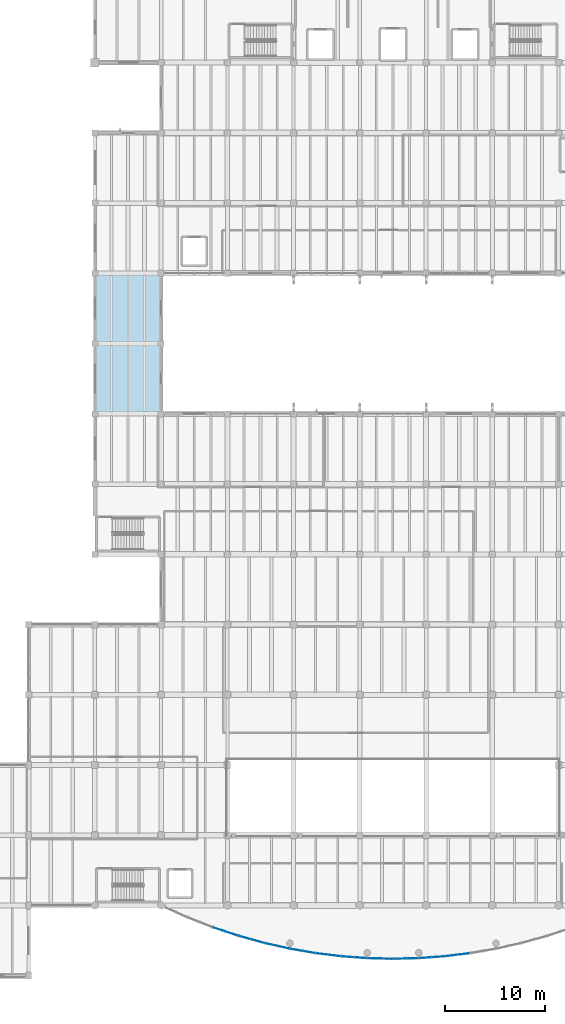
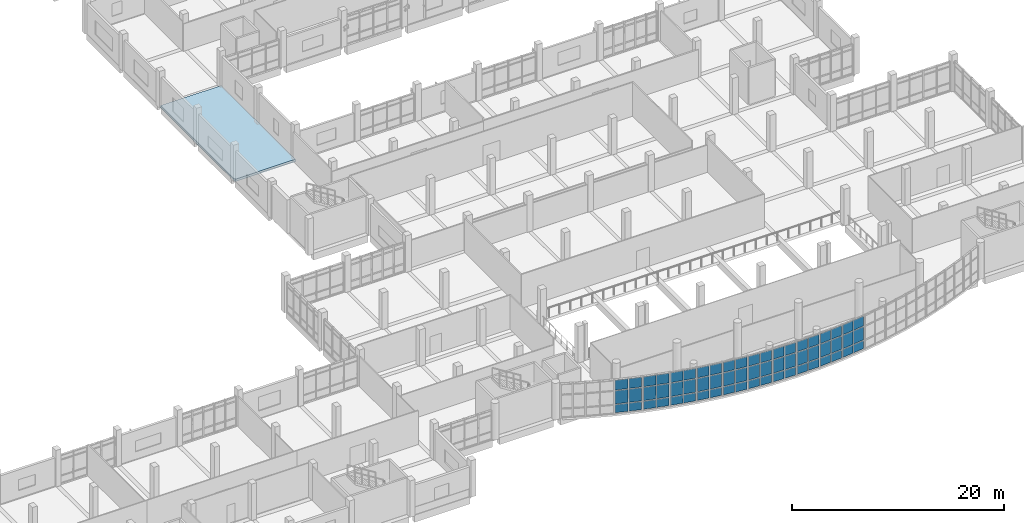
# One storey, part 35 of 68: 60 plates, 1 slab, 10 elements without a shape of their own.
"""IFC4 building model written with IfcOpenShell, lengths in metres."""

from ifc_helpers import new_model, si_unit, direction, frame, origin, origin_2d, place, context, subcontext, project, spatial, polyline, rectangle, outline, extrude, material, layer, layer_set, type_object, element, aggregate, save


model = new_model("IFC4")

# Units and contexts
model_context = context("Model", 3, precision=1e-05, world=origin(), true_north=direction((0.0, 1.0)))
body_context = subcontext(model_context, "Body", "Model", "MODEL_VIEW")
ifc_project = project(units=[si_unit("LENGTHUNIT", "METRE"), si_unit("AREAUNIT", "SQUARE_METRE"), si_unit("VOLUMEUNIT", "CUBIC_METRE"), si_unit("PLANEANGLEUNIT", "RADIAN"), si_unit("MASSUNIT", "GRAM", prefix="KILO")], contexts=[model_context])

# Site, building, storey
site_placement = place(None, origin())
site = spatial("IfcSite", under=ifc_project, at=site_placement, CompositionType="ELEMENT")
building_placement = place(site_placement, origin())
building = spatial("IfcBuilding", under=site, at=building_placement, Name="Ciguamira Faculty of Natural Sciences", CompositionType="ELEMENT")
storey_placement = place(building_placement, frame((0.0, 0.0, 4.199951171875)))
storey = spatial("IfcBuildingStorey", under=building, at=storey_placement, Name="L01", CompositionType="ELEMENT", Elevation=4.199951171875)

# Curtain wall, plates
ifc_material_1 = material(Name="Anodized aluminium curtain wall", Category="aluminium")
curtain_wall_type_1 = type_object("IfcCurtainWallType", Name="CurtainWall_CW-02", PredefinedType="USERDEFINED", material=ifc_material_1)
curtain_wall_1_placement = place(storey_placement, origin())
curtain_wall_1 = element("IfcCurtainWall", 1, at=curtain_wall_1_placement, inside=storey, type_object=curtain_wall_type_1, Name="L01 south gallery curved curtain wall 03", ObjectType="UNITISED CURTAIN WALL", PredefinedType="USERDEFINED")
ifc_material_2 = material(Name="Low-E laminated solar glass", Category="glass")
ifc_layer_1 = layer(ifc_material_2, 0.028076171875, Name="Low-E laminated solar glass")
ifc_layer_set_1 = layer_set([ifc_layer_1], Name="Low-E laminated solar glass")
plate_type = type_object("IfcPlateType", Name="CWPanel_CWP-01", PredefinedType="CURTAIN_PANEL", material=ifc_layer_set_1)
plate_1_placement = place(storey_placement, frame((69.69384765625, 7.609619140625, 0.080078125), z_axis=(0.0, 0.0, 1.0), x_axis=(0.948735033862, -0.316072516242, 0.0)))
plate_1 = element("IfcPlate", 2, at=plate_1_placement, type_object=plate_type, Name="CW-02 panel 1.1", PredefinedType="CURTAIN_PANEL", context=body_context, shape_type="SweptSolid", body=[
    extrude(rectangle(XDim=1.232666015625, YDim=0.028076171875, at=origin_2d()), origin(), (0.0, 0.0, 1.0), 0.929931640625),
])
plate_2_placement = place(storey_placement, frame((69.69384765625, 7.609619140625, 1.090087890625), z_axis=(0.0, 0.0, 1.0), x_axis=(0.948735033862, -0.316072516242, 0.0)))
plate_2 = element("IfcPlate", 3, at=plate_2_placement, type_object=plate_type, Name="CW-02 panel 1.2", PredefinedType="CURTAIN_PANEL", context=body_context, shape_type="SweptSolid", body=[
    extrude(rectangle(XDim=1.232666015625, YDim=0.028076171875, at=origin_2d()), origin(), (0.0, 0.0, 1.0), 1.52001953125),
])
plate_3_placement = place(storey_placement, frame((69.69384765625, 7.609619140625, 2.690185546875), z_axis=(0.0, 0.0, 1.0), x_axis=(0.948735033862, -0.316072516242, 0.0)))
plate_3 = element("IfcPlate", 4, at=plate_3_placement, type_object=plate_type, Name="CW-02 panel 1.3", PredefinedType="CURTAIN_PANEL", context=body_context, shape_type="SweptSolid", body=[
    extrude(rectangle(XDim=1.232666015625, YDim=0.028076171875, at=origin_2d()), origin(), (0.0, 0.0, 1.0), 1.1298828125),
])
plate_4_placement = place(storey_placement, frame((70.939453125, 7.194580078125, 0.080078125), z_axis=(0.0, 0.0, 1.0), x_axis=(0.948735033862, -0.316072516242, 0.0)))
plate_4 = element("IfcPlate", 5, at=plate_4_placement, type_object=plate_type, Name="CW-02 panel 2.1", PredefinedType="CURTAIN_PANEL", context=body_context, shape_type="SweptSolid", body=[
    extrude(rectangle(XDim=1.232666015625, YDim=0.028076171875, at=origin_2d()), origin(), (0.0, 0.0, 1.0), 0.929931640625),
])
plate_5_placement = place(storey_placement, frame((70.939453125, 7.194580078125, 1.090087890625), z_axis=(0.0, 0.0, 1.0), x_axis=(0.948735033862, -0.316072516242, 0.0)))
plate_5 = element("IfcPlate", 6, at=plate_5_placement, type_object=plate_type, Name="CW-02 panel 2.2", PredefinedType="CURTAIN_PANEL", context=body_context, shape_type="SweptSolid", body=[
    extrude(rectangle(XDim=1.232666015625, YDim=0.028076171875, at=origin_2d()), origin(), (0.0, 0.0, 1.0), 1.52001953125),
])
plate_6_placement = place(storey_placement, frame((70.939453125, 7.194580078125, 2.690185546875), z_axis=(0.0, 0.0, 1.0), x_axis=(0.948735033862, -0.316072516242, 0.0)))
plate_6 = element("IfcPlate", 7, at=plate_6_placement, type_object=plate_type, Name="CW-02 panel 2.3", PredefinedType="CURTAIN_PANEL", context=body_context, shape_type="SweptSolid", body=[
    extrude(rectangle(XDim=1.232666015625, YDim=0.028076171875, at=origin_2d()), origin(), (0.0, 0.0, 1.0), 1.1298828125),
])
aggregate(curtain_wall_1, [plate_1, plate_2, plate_3, plate_4, plate_5, plate_6])

curtain_wall_type_2 = type_object("IfcCurtainWallType", Name="CurtainWall_CW-03", PredefinedType="USERDEFINED", material=ifc_material_1)
curtain_wall_2_placement = place(storey_placement, origin())
curtain_wall_2 = element("IfcCurtainWall", 8, at=curtain_wall_2_placement, inside=storey, type_object=curtain_wall_type_2, Name="L01 south gallery curved curtain wall 04", ObjectType="UNITISED CURTAIN WALL", PredefinedType="USERDEFINED")
plate_7_placement = place(storey_placement, frame((72.260986328125, 6.791015625, 0.080078125), z_axis=(0.0, 0.0, 1.0), x_axis=(0.963573286652, -0.267444426472, 0.0)))
plate_7 = element("IfcPlate", 9, at=plate_7_placement, type_object=plate_type, Name="CW-03 panel 1.1", PredefinedType="CURTAIN_PANEL", context=body_context, shape_type="SweptSolid", body=[
    extrude(rectangle(XDim=1.2119140625, YDim=0.028076171875, at=origin_2d()), origin(), (0.0, 0.0, 1.0), 0.929931640625),
])
plate_8_placement = place(storey_placement, frame((72.260986328125, 6.791015625, 1.090087890625), z_axis=(0.0, 0.0, 1.0), x_axis=(0.963573286652, -0.267444426472, 0.0)))
plate_8 = element("IfcPlate", 10, at=plate_8_placement, type_object=plate_type, Name="CW-03 panel 1.2", PredefinedType="CURTAIN_PANEL", context=body_context, shape_type="SweptSolid", body=[
    extrude(rectangle(XDim=1.2119140625, YDim=0.028076171875, at=origin_2d()), origin(), (0.0, 0.0, 1.0), 1.52001953125),
])
plate_9_placement = place(storey_placement, frame((72.260986328125, 6.791015625, 2.690185546875), z_axis=(0.0, 0.0, 1.0), x_axis=(0.963573286652, -0.267444426472, 0.0)))
plate_9 = element("IfcPlate", 11, at=plate_9_placement, type_object=plate_type, Name="CW-03 panel 1.3", PredefinedType="CURTAIN_PANEL", context=body_context, shape_type="SweptSolid", body=[
    extrude(rectangle(XDim=1.2119140625, YDim=0.028076171875, at=origin_2d()), origin(), (0.0, 0.0, 1.0), 1.1298828125),
])
plate_10_placement = place(storey_placement, frame((73.505859375, 6.445556640625, 0.080078125), z_axis=(0.0, 0.0, 1.0), x_axis=(0.963573286652, -0.267444426472, 0.0)))
plate_10 = element("IfcPlate", 12, at=plate_10_placement, type_object=plate_type, Name="CW-03 panel 2.1", PredefinedType="CURTAIN_PANEL", context=body_context, shape_type="SweptSolid", body=[
    extrude(rectangle(XDim=1.2119140625, YDim=0.028076171875, at=origin_2d()), origin(), (0.0, 0.0, 1.0), 0.929931640625),
])
plate_11_placement = place(storey_placement, frame((73.505859375, 6.445556640625, 1.090087890625), z_axis=(0.0, 0.0, 1.0), x_axis=(0.963573286652, -0.267444426472, 0.0)))
plate_11 = element("IfcPlate", 13, at=plate_11_placement, type_object=plate_type, Name="CW-03 panel 2.2", PredefinedType="CURTAIN_PANEL", context=body_context, shape_type="SweptSolid", body=[
    extrude(rectangle(XDim=1.2119140625, YDim=0.028076171875, at=origin_2d()), origin(), (0.0, 0.0, 1.0), 1.52001953125),
])
plate_12_placement = place(storey_placement, frame((73.505859375, 6.445556640625, 2.690185546875), z_axis=(0.0, 0.0, 1.0), x_axis=(0.963573286652, -0.267444426472, 0.0)))
plate_12 = element("IfcPlate", 14, at=plate_12_placement, type_object=plate_type, Name="CW-03 panel 2.3", PredefinedType="CURTAIN_PANEL", context=body_context, shape_type="SweptSolid", body=[
    extrude(rectangle(XDim=1.2119140625, YDim=0.028076171875, at=origin_2d()), origin(), (0.0, 0.0, 1.0), 1.1298828125),
])
aggregate(curtain_wall_2, [plate_7, plate_8, plate_9, plate_10, plate_11, plate_12])

curtain_wall_type_3 = type_object("IfcCurtainWallType", Name="CurtainWall_CW-04", PredefinedType="USERDEFINED", material=ifc_material_1)
curtain_wall_3_placement = place(storey_placement, origin())
curtain_wall_3 = element("IfcCurtainWall", 15, at=curtain_wall_3_placement, inside=storey, type_object=curtain_wall_type_3, Name="L01 south gallery curved curtain wall 05", ObjectType="UNITISED CURTAIN WALL", PredefinedType="USERDEFINED")
plate_13_placement = place(storey_placement, frame((74.827880859375, 6.11376953125, 0.080078125), z_axis=(0.0, 0.0, 1.0), x_axis=(0.975762990759, -0.218830038763, 0.0)))
plate_13 = element("IfcPlate", 16, at=plate_13_placement, type_object=plate_type, Name="CW-04 panel 1.1", PredefinedType="CURTAIN_PANEL", context=body_context, shape_type="SweptSolid", body=[
    extrude(rectangle(XDim=1.195068359375, YDim=0.028076171875, at=origin_2d()), origin(), (0.0, 0.0, 1.0), 0.929931640625),
])
plate_14_placement = place(storey_placement, frame((74.827880859375, 6.11376953125, 1.090087890625), z_axis=(0.0, 0.0, 1.0), x_axis=(0.975762990759, -0.218830038763, 0.0)))
plate_14 = element("IfcPlate", 17, at=plate_14_placement, type_object=plate_type, Name="CW-04 panel 1.2", PredefinedType="CURTAIN_PANEL", context=body_context, shape_type="SweptSolid", body=[
    extrude(rectangle(XDim=1.195068359375, YDim=0.028076171875, at=origin_2d()), origin(), (0.0, 0.0, 1.0), 1.52001953125),
])
plate_15_placement = place(storey_placement, frame((74.827880859375, 6.11376953125, 2.690185546875), z_axis=(0.0, 0.0, 1.0), x_axis=(0.975762990759, -0.218830038763, 0.0)))
plate_15 = element("IfcPlate", 18, at=plate_15_placement, type_object=plate_type, Name="CW-04 panel 1.3", PredefinedType="CURTAIN_PANEL", context=body_context, shape_type="SweptSolid", body=[
    extrude(rectangle(XDim=1.195068359375, YDim=0.028076171875, at=origin_2d()), origin(), (0.0, 0.0, 1.0), 1.1298828125),
])
plate_16_placement = place(storey_placement, frame((76.072021484375, 5.834716796875, 0.080078125), z_axis=(0.0, 0.0, 1.0), x_axis=(0.975762990759, -0.218830038763, 0.0)))
plate_16 = element("IfcPlate", 19, at=plate_16_placement, type_object=plate_type, Name="CW-04 panel 2.1", PredefinedType="CURTAIN_PANEL", context=body_context, shape_type="SweptSolid", body=[
    extrude(rectangle(XDim=1.195068359375, YDim=0.028076171875, at=origin_2d()), origin(), (0.0, 0.0, 1.0), 0.929931640625),
])
plate_17_placement = place(storey_placement, frame((76.072021484375, 5.834716796875, 1.090087890625), z_axis=(0.0, 0.0, 1.0), x_axis=(0.975762990759, -0.218830038763, 0.0)))
plate_17 = element("IfcPlate", 20, at=plate_17_placement, type_object=plate_type, Name="CW-04 panel 2.2", PredefinedType="CURTAIN_PANEL", context=body_context, shape_type="SweptSolid", body=[
    extrude(rectangle(XDim=1.195068359375, YDim=0.028076171875, at=origin_2d()), origin(), (0.0, 0.0, 1.0), 1.52001953125),
])
plate_18_placement = place(storey_placement, frame((76.072021484375, 5.834716796875, 2.690185546875), z_axis=(0.0, 0.0, 1.0), x_axis=(0.975762990759, -0.218830038763, 0.0)))
plate_18 = element("IfcPlate", 21, at=plate_18_placement, type_object=plate_type, Name="CW-04 panel 2.3", PredefinedType="CURTAIN_PANEL", context=body_context, shape_type="SweptSolid", body=[
    extrude(rectangle(XDim=1.195068359375, YDim=0.028076171875, at=origin_2d()), origin(), (0.0, 0.0, 1.0), 1.1298828125),
])
aggregate(curtain_wall_3, [plate_13, plate_14, plate_15, plate_16, plate_17, plate_18])

curtain_wall_type_4 = type_object("IfcCurtainWallType", Name="CurtainWall_CW-05", PredefinedType="USERDEFINED", material=ifc_material_1)
curtain_wall_4_placement = place(storey_placement, origin())
curtain_wall_4 = element("IfcCurtainWall", 22, at=curtain_wall_4_placement, inside=storey, type_object=curtain_wall_type_4, Name="L01 south gallery curved curtain wall 06", ObjectType="UNITISED CURTAIN WALL", PredefinedType="USERDEFINED")
plate_19_placement = place(storey_placement, frame((77.394775390625, 5.572265625, 0.080078125), z_axis=(0.0, 0.0, 1.0), x_axis=(0.985410865099, -0.170192323402, 0.0)))
plate_19 = element("IfcPlate", 23, at=plate_19_placement, type_object=plate_type, Name="CW-05 panel 1.1", PredefinedType="CURTAIN_PANEL", context=body_context, shape_type="SweptSolid", body=[
    extrude(rectangle(XDim=1.182373046875, YDim=0.028076171875, at=origin_2d()), origin(), (0.0, 0.0, 1.0), 0.929931640625),
])
plate_20_placement = place(storey_placement, frame((77.394775390625, 5.572265625, 1.090087890625), z_axis=(0.0, 0.0, 1.0), x_axis=(0.985410865099, -0.170192323402, 0.0)))
plate_20 = element("IfcPlate", 24, at=plate_20_placement, type_object=plate_type, Name="CW-05 panel 1.2", PredefinedType="CURTAIN_PANEL", context=body_context, shape_type="SweptSolid", body=[
    extrude(rectangle(XDim=1.182373046875, YDim=0.028076171875, at=origin_2d()), origin(), (0.0, 0.0, 1.0), 1.52001953125),
])
plate_21_placement = place(storey_placement, frame((77.394775390625, 5.572265625, 2.690185546875), z_axis=(0.0, 0.0, 1.0), x_axis=(0.985410865099, -0.170192323402, 0.0)))
plate_21 = element("IfcPlate", 25, at=plate_21_placement, type_object=plate_type, Name="CW-05 panel 1.3", PredefinedType="CURTAIN_PANEL", context=body_context, shape_type="SweptSolid", body=[
    extrude(rectangle(XDim=1.182373046875, YDim=0.028076171875, at=origin_2d()), origin(), (0.0, 0.0, 1.0), 1.1298828125),
])
plate_22_placement = place(storey_placement, frame((78.638671875, 5.357421875, 0.080078125), z_axis=(0.0, 0.0, 1.0), x_axis=(0.985410865099, -0.170192323402, 0.0)))
plate_22 = element("IfcPlate", 26, at=plate_22_placement, type_object=plate_type, Name="CW-05 panel 2.1", PredefinedType="CURTAIN_PANEL", context=body_context, shape_type="SweptSolid", body=[
    extrude(rectangle(XDim=1.182373046875, YDim=0.028076171875, at=origin_2d()), origin(), (0.0, 0.0, 1.0), 0.929931640625),
])
plate_23_placement = place(storey_placement, frame((78.638671875, 5.357421875, 1.090087890625), z_axis=(0.0, 0.0, 1.0), x_axis=(0.985410865099, -0.170192323402, 0.0)))
plate_23 = element("IfcPlate", 27, at=plate_23_placement, type_object=plate_type, Name="CW-05 panel 2.2", PredefinedType="CURTAIN_PANEL", context=body_context, shape_type="SweptSolid", body=[
    extrude(rectangle(XDim=1.182373046875, YDim=0.028076171875, at=origin_2d()), origin(), (0.0, 0.0, 1.0), 1.52001953125),
])
plate_24_placement = place(storey_placement, frame((78.638671875, 5.357421875, 2.690185546875), z_axis=(0.0, 0.0, 1.0), x_axis=(0.985410865099, -0.170192323402, 0.0)))
plate_24 = element("IfcPlate", 28, at=plate_24_placement, type_object=plate_type, Name="CW-05 panel 2.3", PredefinedType="CURTAIN_PANEL", context=body_context, shape_type="SweptSolid", body=[
    extrude(rectangle(XDim=1.182373046875, YDim=0.028076171875, at=origin_2d()), origin(), (0.0, 0.0, 1.0), 1.1298828125),
])
aggregate(curtain_wall_4, [plate_19, plate_20, plate_21, plate_22, plate_23, plate_24])

curtain_wall_type_5 = type_object("IfcCurtainWallType", Name="CurtainWall_CW-06", PredefinedType="USERDEFINED", material=ifc_material_1)
curtain_wall_5_placement = place(storey_placement, origin())
curtain_wall_5 = element("IfcCurtainWall", 29, at=curtain_wall_5_placement, inside=storey, type_object=curtain_wall_type_5, Name="L01 south gallery curved curtain wall 07", ObjectType="UNITISED CURTAIN WALL", PredefinedType="USERDEFINED")
plate_25_placement = place(storey_placement, frame((79.96142578125, 5.162109375, 0.080078125), z_axis=(0.0, 0.0, 1.0), x_axis=(0.992585912631, -0.12154507825, 0.0)))
plate_25 = element("IfcPlate", 30, at=plate_25_placement, type_object=plate_type, Name="CW-06 panel 1.1", PredefinedType="CURTAIN_PANEL", context=body_context, shape_type="SweptSolid", body=[
    extrude(rectangle(XDim=1.1728515625, YDim=0.028076171875, at=origin_2d()), origin(), (0.0, 0.0, 1.0), 0.929931640625),
])
plate_26_placement = place(storey_placement, frame((79.96142578125, 5.162109375, 1.090087890625), z_axis=(0.0, 0.0, 1.0), x_axis=(0.992585912631, -0.12154507825, 0.0)))
plate_26 = element("IfcPlate", 31, at=plate_26_placement, type_object=plate_type, Name="CW-06 panel 1.2", PredefinedType="CURTAIN_PANEL", context=body_context, shape_type="SweptSolid", body=[
    extrude(rectangle(XDim=1.1728515625, YDim=0.028076171875, at=origin_2d()), origin(), (0.0, 0.0, 1.0), 1.52001953125),
])
plate_27_placement = place(storey_placement, frame((79.96142578125, 5.162109375, 2.690185546875), z_axis=(0.0, 0.0, 1.0), x_axis=(0.992585912631, -0.12154507825, 0.0)))
plate_27 = element("IfcPlate", 32, at=plate_27_placement, type_object=plate_type, Name="CW-06 panel 1.3", PredefinedType="CURTAIN_PANEL", context=body_context, shape_type="SweptSolid", body=[
    extrude(rectangle(XDim=1.1728515625, YDim=0.028076171875, at=origin_2d()), origin(), (0.0, 0.0, 1.0), 1.1298828125),
])
plate_28_placement = place(storey_placement, frame((81.205078125, 5.010009765625, 0.080078125), z_axis=(0.0, 0.0, 1.0), x_axis=(0.992585912631, -0.12154507825, 0.0)))
plate_28 = element("IfcPlate", 33, at=plate_28_placement, type_object=plate_type, Name="CW-06 panel 2.1", PredefinedType="CURTAIN_PANEL", context=body_context, shape_type="SweptSolid", body=[
    extrude(rectangle(XDim=1.1728515625, YDim=0.028076171875, at=origin_2d()), origin(), (0.0, 0.0, 1.0), 0.929931640625),
])
plate_29_placement = place(storey_placement, frame((81.205078125, 5.010009765625, 1.090087890625), z_axis=(0.0, 0.0, 1.0), x_axis=(0.992585912631, -0.12154507825, 0.0)))
plate_29 = element("IfcPlate", 34, at=plate_29_placement, type_object=plate_type, Name="CW-06 panel 2.2", PredefinedType="CURTAIN_PANEL", context=body_context, shape_type="SweptSolid", body=[
    extrude(rectangle(XDim=1.1728515625, YDim=0.028076171875, at=origin_2d()), origin(), (0.0, 0.0, 1.0), 1.52001953125),
])
plate_30_placement = place(storey_placement, frame((81.205078125, 5.010009765625, 2.690185546875), z_axis=(0.0, 0.0, 1.0), x_axis=(0.992585912631, -0.12154507825, 0.0)))
plate_30 = element("IfcPlate", 35, at=plate_30_placement, type_object=plate_type, Name="CW-06 panel 2.3", PredefinedType="CURTAIN_PANEL", context=body_context, shape_type="SweptSolid", body=[
    extrude(rectangle(XDim=1.1728515625, YDim=0.028076171875, at=origin_2d()), origin(), (0.0, 0.0, 1.0), 1.1298828125),
])
aggregate(curtain_wall_5, [plate_25, plate_26, plate_27, plate_28, plate_29, plate_30])

curtain_wall_type_6 = type_object("IfcCurtainWallType", Name="CurtainWall_CW-07", PredefinedType="USERDEFINED", material=ifc_material_1)
curtain_wall_6_placement = place(storey_placement, origin())
curtain_wall_6 = element("IfcCurtainWall", 36, at=curtain_wall_6_placement, inside=storey, type_object=curtain_wall_type_6, Name="L01 south gallery curved curtain wall 08", ObjectType="UNITISED CURTAIN WALL", PredefinedType="USERDEFINED")
plate_31_placement = place(storey_placement, frame((82.5283203125, 4.880615234375, 0.080078125), z_axis=(0.0, 0.0, 1.0), x_axis=(0.99733655099, -0.072936986916, 0.0)))
plate_31 = element("IfcPlate", 37, at=plate_31_placement, type_object=plate_type, Name="CW-07 panel 1.1", PredefinedType="CURTAIN_PANEL", context=body_context, shape_type="SweptSolid", body=[
    extrude(rectangle(XDim=1.166748046875, YDim=0.028076171875, at=origin_2d()), origin(), (0.0, 0.0, 1.0), 0.929931640625),
])
plate_32_placement = place(storey_placement, frame((82.5283203125, 4.880615234375, 1.090087890625), z_axis=(0.0, 0.0, 1.0), x_axis=(0.99733655099, -0.072936986916, 0.0)))
plate_32 = element("IfcPlate", 38, at=plate_32_placement, type_object=plate_type, Name="CW-07 panel 1.2", PredefinedType="CURTAIN_PANEL", context=body_context, shape_type="SweptSolid", body=[
    extrude(rectangle(XDim=1.166748046875, YDim=0.028076171875, at=origin_2d()), origin(), (0.0, 0.0, 1.0), 1.52001953125),
])
plate_33_placement = place(storey_placement, frame((82.5283203125, 4.880615234375, 2.690185546875), z_axis=(0.0, 0.0, 1.0), x_axis=(0.99733655099, -0.072936986916, 0.0)))
plate_33 = element("IfcPlate", 39, at=plate_33_placement, type_object=plate_type, Name="CW-07 panel 1.3", PredefinedType="CURTAIN_PANEL", context=body_context, shape_type="SweptSolid", body=[
    extrude(rectangle(XDim=1.166748046875, YDim=0.028076171875, at=origin_2d()), origin(), (0.0, 0.0, 1.0), 1.1298828125),
])
plate_34_placement = place(storey_placement, frame((83.771728515625, 4.78955078125, 0.080078125), z_axis=(0.0, 0.0, 1.0), x_axis=(0.99733655099, -0.072936986916, 0.0)))
plate_34 = element("IfcPlate", 40, at=plate_34_placement, type_object=plate_type, Name="CW-07 panel 2.1", PredefinedType="CURTAIN_PANEL", context=body_context, shape_type="SweptSolid", body=[
    extrude(rectangle(XDim=1.166748046875, YDim=0.028076171875, at=origin_2d()), origin(), (0.0, 0.0, 1.0), 0.929931640625),
])
plate_35_placement = place(storey_placement, frame((83.771728515625, 4.78955078125, 1.090087890625), z_axis=(0.0, 0.0, 1.0), x_axis=(0.99733655099, -0.072936986916, 0.0)))
plate_35 = element("IfcPlate", 41, at=plate_35_placement, type_object=plate_type, Name="CW-07 panel 2.2", PredefinedType="CURTAIN_PANEL", context=body_context, shape_type="SweptSolid", body=[
    extrude(rectangle(XDim=1.166748046875, YDim=0.028076171875, at=origin_2d()), origin(), (0.0, 0.0, 1.0), 1.52001953125),
])
plate_36_placement = place(storey_placement, frame((83.771728515625, 4.78955078125, 2.690185546875), z_axis=(0.0, 0.0, 1.0), x_axis=(0.99733655099, -0.072936986916, 0.0)))
plate_36 = element("IfcPlate", 42, at=plate_36_placement, type_object=plate_type, Name="CW-07 panel 2.3", PredefinedType="CURTAIN_PANEL", context=body_context, shape_type="SweptSolid", body=[
    extrude(rectangle(XDim=1.166748046875, YDim=0.028076171875, at=origin_2d()), origin(), (0.0, 0.0, 1.0), 1.1298828125),
])
aggregate(curtain_wall_6, [plate_31, plate_32, plate_33, plate_34, plate_35, plate_36])

curtain_wall_type_7 = type_object("IfcCurtainWallType", Name="CurtainWall_CW-08", PredefinedType="USERDEFINED", material=ifc_material_1)
curtain_wall_7_placement = place(storey_placement, origin())
curtain_wall_7 = element("IfcCurtainWall", 43, at=curtain_wall_7_placement, inside=storey, type_object=curtain_wall_type_7, Name="L01 south gallery curved curtain wall 09", ObjectType="UNITISED CURTAIN WALL", PredefinedType="USERDEFINED")
plate_37_placement = place(storey_placement, frame((85.094970703125, 4.72509765625, 0.080078125), z_axis=(0.0, 0.0, 1.0), x_axis=(0.999703662415, -0.024343117197, 0.0)))
plate_37 = element("IfcPlate", 44, at=plate_37_placement, type_object=plate_type, Name="CW-08 panel 1.1", PredefinedType="CURTAIN_PANEL", context=body_context, shape_type="SweptSolid", body=[
    extrude(rectangle(XDim=1.163818359375, YDim=0.028076171875, at=origin_2d()), origin(), (0.0, 0.0, 1.0), 0.929931640625),
])
plate_38_placement = place(storey_placement, frame((85.094970703125, 4.72509765625, 1.090087890625), z_axis=(0.0, 0.0, 1.0), x_axis=(0.999703662415, -0.024343117197, 0.0)))
plate_38 = element("IfcPlate", 45, at=plate_38_placement, type_object=plate_type, Name="CW-08 panel 1.2", PredefinedType="CURTAIN_PANEL", context=body_context, shape_type="SweptSolid", body=[
    extrude(rectangle(XDim=1.163818359375, YDim=0.028076171875, at=origin_2d()), origin(), (0.0, 0.0, 1.0), 1.52001953125),
])
plate_39_placement = place(storey_placement, frame((85.094970703125, 4.72509765625, 2.690185546875), z_axis=(0.0, 0.0, 1.0), x_axis=(0.999703662415, -0.024343117197, 0.0)))
plate_39 = element("IfcPlate", 46, at=plate_39_placement, type_object=plate_type, Name="CW-08 panel 1.3", PredefinedType="CURTAIN_PANEL", context=body_context, shape_type="SweptSolid", body=[
    extrude(rectangle(XDim=1.163818359375, YDim=0.028076171875, at=origin_2d()), origin(), (0.0, 0.0, 1.0), 1.1298828125),
])
plate_40_placement = place(storey_placement, frame((86.33837890625, 4.69482421875, 0.080078125), z_axis=(0.0, 0.0, 1.0), x_axis=(0.999703662415, -0.024343117197, 0.0)))
plate_40 = element("IfcPlate", 47, at=plate_40_placement, type_object=plate_type, Name="CW-08 panel 2.1", PredefinedType="CURTAIN_PANEL", context=body_context, shape_type="SweptSolid", body=[
    extrude(rectangle(XDim=1.163818359375, YDim=0.028076171875, at=origin_2d()), origin(), (0.0, 0.0, 1.0), 0.929931640625),
])
plate_41_placement = place(storey_placement, frame((86.33837890625, 4.69482421875, 1.090087890625), z_axis=(0.0, 0.0, 1.0), x_axis=(0.999703662415, -0.024343117197, 0.0)))
plate_41 = element("IfcPlate", 48, at=plate_41_placement, type_object=plate_type, Name="CW-08 panel 2.2", PredefinedType="CURTAIN_PANEL", context=body_context, shape_type="SweptSolid", body=[
    extrude(rectangle(XDim=1.163818359375, YDim=0.028076171875, at=origin_2d()), origin(), (0.0, 0.0, 1.0), 1.52001953125),
])
plate_42_placement = place(storey_placement, frame((86.33837890625, 4.69482421875, 2.690185546875), z_axis=(0.0, 0.0, 1.0), x_axis=(0.999703662415, -0.024343117197, 0.0)))
plate_42 = element("IfcPlate", 49, at=plate_42_placement, type_object=plate_type, Name="CW-08 panel 2.3", PredefinedType="CURTAIN_PANEL", context=body_context, shape_type="SweptSolid", body=[
    extrude(rectangle(XDim=1.163818359375, YDim=0.028076171875, at=origin_2d()), origin(), (0.0, 0.0, 1.0), 1.1298828125),
])
aggregate(curtain_wall_7, [plate_37, plate_38, plate_39, plate_40, plate_41, plate_42])

curtain_wall_type_8 = type_object("IfcCurtainWallType", Name="CurtainWall_CW-09", PredefinedType="USERDEFINED", material=ifc_material_1)
curtain_wall_8_placement = place(storey_placement, origin())
curtain_wall_8 = element("IfcCurtainWall", 50, at=curtain_wall_8_placement, inside=storey, type_object=curtain_wall_type_8, Name="L01 south gallery curved curtain wall 10", ObjectType="UNITISED CURTAIN WALL", PredefinedType="USERDEFINED")
plate_43_placement = place(storey_placement, frame((87.66162109375, 4.69482421875, 0.080078125), z_axis=(0.0, 0.0, 1.0), x_axis=(0.999703662415, 0.024343117197, 0.0)))
plate_43 = element("IfcPlate", 51, at=plate_43_placement, type_object=plate_type, Name="CW-09 panel 1.1", PredefinedType="CURTAIN_PANEL", context=body_context, shape_type="SweptSolid", body=[
    extrude(rectangle(XDim=1.163818359375, YDim=0.028076171875, at=origin_2d()), origin(), (0.0, 0.0, 1.0), 0.929931640625),
])
plate_44_placement = place(storey_placement, frame((87.66162109375, 4.69482421875, 1.090087890625), z_axis=(0.0, 0.0, 1.0), x_axis=(0.999703662415, 0.024343117197, 0.0)))
plate_44 = element("IfcPlate", 52, at=plate_44_placement, type_object=plate_type, Name="CW-09 panel 1.2", PredefinedType="CURTAIN_PANEL", context=body_context, shape_type="SweptSolid", body=[
    extrude(rectangle(XDim=1.163818359375, YDim=0.028076171875, at=origin_2d()), origin(), (0.0, 0.0, 1.0), 1.52001953125),
])
plate_45_placement = place(storey_placement, frame((87.66162109375, 4.69482421875, 2.690185546875), z_axis=(0.0, 0.0, 1.0), x_axis=(0.999703662415, 0.024343117197, 0.0)))
plate_45 = element("IfcPlate", 53, at=plate_45_placement, type_object=plate_type, Name="CW-09 panel 1.3", PredefinedType="CURTAIN_PANEL", context=body_context, shape_type="SweptSolid", body=[
    extrude(rectangle(XDim=1.163818359375, YDim=0.028076171875, at=origin_2d()), origin(), (0.0, 0.0, 1.0), 1.1298828125),
])
plate_46_placement = place(storey_placement, frame((88.905029296875, 4.72509765625, 0.080078125), z_axis=(0.0, 0.0, 1.0), x_axis=(0.999703662415, 0.024343117197, 0.0)))
plate_46 = element("IfcPlate", 54, at=plate_46_placement, type_object=plate_type, Name="CW-09 panel 2.1", PredefinedType="CURTAIN_PANEL", context=body_context, shape_type="SweptSolid", body=[
    extrude(rectangle(XDim=1.163818359375, YDim=0.028076171875, at=origin_2d()), origin(), (0.0, 0.0, 1.0), 0.929931640625),
])
plate_47_placement = place(storey_placement, frame((88.905029296875, 4.72509765625, 1.090087890625), z_axis=(0.0, 0.0, 1.0), x_axis=(0.999703662415, 0.024343117197, 0.0)))
plate_47 = element("IfcPlate", 55, at=plate_47_placement, type_object=plate_type, Name="CW-09 panel 2.2", PredefinedType="CURTAIN_PANEL", context=body_context, shape_type="SweptSolid", body=[
    extrude(rectangle(XDim=1.163818359375, YDim=0.028076171875, at=origin_2d()), origin(), (0.0, 0.0, 1.0), 1.52001953125),
])
plate_48_placement = place(storey_placement, frame((88.905029296875, 4.72509765625, 2.690185546875), z_axis=(0.0, 0.0, 1.0), x_axis=(0.999703662415, 0.024343117197, 0.0)))
plate_48 = element("IfcPlate", 56, at=plate_48_placement, type_object=plate_type, Name="CW-09 panel 2.3", PredefinedType="CURTAIN_PANEL", context=body_context, shape_type="SweptSolid", body=[
    extrude(rectangle(XDim=1.163818359375, YDim=0.028076171875, at=origin_2d()), origin(), (0.0, 0.0, 1.0), 1.1298828125),
])
aggregate(curtain_wall_8, [plate_43, plate_44, plate_45, plate_46, plate_47, plate_48])

curtain_wall_type_9 = type_object("IfcCurtainWallType", Name="CurtainWall_CW-10", PredefinedType="USERDEFINED", material=ifc_material_1)
curtain_wall_9_placement = place(storey_placement, origin())
curtain_wall_9 = element("IfcCurtainWall", 57, at=curtain_wall_9_placement, inside=storey, type_object=curtain_wall_type_9, Name="L01 south gallery curved curtain wall 11", ObjectType="UNITISED CURTAIN WALL", PredefinedType="USERDEFINED")
plate_49_placement = place(storey_placement, frame((90.228271484375, 4.78955078125, 0.080078125), z_axis=(0.0, 0.0, 1.0), x_axis=(0.99733655099, 0.072936986916, 0.0)))
plate_49 = element("IfcPlate", 58, at=plate_49_placement, type_object=plate_type, Name="CW-10 panel 1.1", PredefinedType="CURTAIN_PANEL", context=body_context, shape_type="SweptSolid", body=[
    extrude(rectangle(XDim=1.166748046875, YDim=0.028076171875, at=origin_2d()), origin(), (0.0, 0.0, 1.0), 0.929931640625),
])
plate_50_placement = place(storey_placement, frame((90.228271484375, 4.78955078125, 1.090087890625), z_axis=(0.0, 0.0, 1.0), x_axis=(0.99733655099, 0.072936986916, 0.0)))
plate_50 = element("IfcPlate", 59, at=plate_50_placement, type_object=plate_type, Name="CW-10 panel 1.2", PredefinedType="CURTAIN_PANEL", context=body_context, shape_type="SweptSolid", body=[
    extrude(rectangle(XDim=1.166748046875, YDim=0.028076171875, at=origin_2d()), origin(), (0.0, 0.0, 1.0), 1.52001953125),
])
plate_51_placement = place(storey_placement, frame((90.228271484375, 4.78955078125, 2.690185546875), z_axis=(0.0, 0.0, 1.0), x_axis=(0.99733655099, 0.072936986916, 0.0)))
plate_51 = element("IfcPlate", 60, at=plate_51_placement, type_object=plate_type, Name="CW-10 panel 1.3", PredefinedType="CURTAIN_PANEL", context=body_context, shape_type="SweptSolid", body=[
    extrude(rectangle(XDim=1.166748046875, YDim=0.028076171875, at=origin_2d()), origin(), (0.0, 0.0, 1.0), 1.1298828125),
])
plate_52_placement = place(storey_placement, frame((91.4716796875, 4.880615234375, 0.080078125), z_axis=(0.0, 0.0, 1.0), x_axis=(0.99733655099, 0.072936986916, 0.0)))
plate_52 = element("IfcPlate", 61, at=plate_52_placement, type_object=plate_type, Name="CW-10 panel 2.1", PredefinedType="CURTAIN_PANEL", context=body_context, shape_type="SweptSolid", body=[
    extrude(rectangle(XDim=1.166748046875, YDim=0.028076171875, at=origin_2d()), origin(), (0.0, 0.0, 1.0), 0.929931640625),
])
plate_53_placement = place(storey_placement, frame((91.4716796875, 4.880615234375, 1.090087890625), z_axis=(0.0, 0.0, 1.0), x_axis=(0.99733655099, 0.072936986916, 0.0)))
plate_53 = element("IfcPlate", 62, at=plate_53_placement, type_object=plate_type, Name="CW-10 panel 2.2", PredefinedType="CURTAIN_PANEL", context=body_context, shape_type="SweptSolid", body=[
    extrude(rectangle(XDim=1.166748046875, YDim=0.028076171875, at=origin_2d()), origin(), (0.0, 0.0, 1.0), 1.52001953125),
])
plate_54_placement = place(storey_placement, frame((91.4716796875, 4.880615234375, 2.690185546875), z_axis=(0.0, 0.0, 1.0), x_axis=(0.99733655099, 0.072936986916, 0.0)))
plate_54 = element("IfcPlate", 63, at=plate_54_placement, type_object=plate_type, Name="CW-10 panel 2.3", PredefinedType="CURTAIN_PANEL", context=body_context, shape_type="SweptSolid", body=[
    extrude(rectangle(XDim=1.166748046875, YDim=0.028076171875, at=origin_2d()), origin(), (0.0, 0.0, 1.0), 1.1298828125),
])
aggregate(curtain_wall_9, [plate_49, plate_50, plate_51, plate_52, plate_53, plate_54])

curtain_wall_type_10 = type_object("IfcCurtainWallType", Name="CurtainWall_CW-11", PredefinedType="USERDEFINED", material=ifc_material_1)
curtain_wall_10_placement = place(storey_placement, origin())
curtain_wall_10 = element("IfcCurtainWall", 64, at=curtain_wall_10_placement, inside=storey, type_object=curtain_wall_type_10, Name="L01 south gallery curved curtain wall 12", ObjectType="UNITISED CURTAIN WALL", PredefinedType="USERDEFINED")
plate_55_placement = place(storey_placement, frame((92.794921875, 5.010009765625, 0.080078125), z_axis=(0.0, 0.0, 1.0), x_axis=(0.992585912631, 0.12154507825, 0.0)))
plate_55 = element("IfcPlate", 65, at=plate_55_placement, type_object=plate_type, Name="CW-11 panel 1.1", PredefinedType="CURTAIN_PANEL", context=body_context, shape_type="SweptSolid", body=[
    extrude(rectangle(XDim=1.1728515625, YDim=0.028076171875, at=origin_2d()), origin(), (0.0, 0.0, 1.0), 0.929931640625),
])
plate_56_placement = place(storey_placement, frame((92.794921875, 5.010009765625, 1.090087890625), z_axis=(0.0, 0.0, 1.0), x_axis=(0.992585912631, 0.12154507825, 0.0)))
plate_56 = element("IfcPlate", 66, at=plate_56_placement, type_object=plate_type, Name="CW-11 panel 1.2", PredefinedType="CURTAIN_PANEL", context=body_context, shape_type="SweptSolid", body=[
    extrude(rectangle(XDim=1.1728515625, YDim=0.028076171875, at=origin_2d()), origin(), (0.0, 0.0, 1.0), 1.52001953125),
])
plate_57_placement = place(storey_placement, frame((92.794921875, 5.010009765625, 2.690185546875), z_axis=(0.0, 0.0, 1.0), x_axis=(0.992585912631, 0.12154507825, 0.0)))
plate_57 = element("IfcPlate", 67, at=plate_57_placement, type_object=plate_type, Name="CW-11 panel 1.3", PredefinedType="CURTAIN_PANEL", context=body_context, shape_type="SweptSolid", body=[
    extrude(rectangle(XDim=1.1728515625, YDim=0.028076171875, at=origin_2d()), origin(), (0.0, 0.0, 1.0), 1.1298828125),
])
plate_58_placement = place(storey_placement, frame((94.03857421875, 5.162109375, 0.080078125), z_axis=(0.0, 0.0, 1.0), x_axis=(0.992585912631, 0.12154507825, 0.0)))
plate_58 = element("IfcPlate", 68, at=plate_58_placement, type_object=plate_type, Name="CW-11 panel 2.1", PredefinedType="CURTAIN_PANEL", context=body_context, shape_type="SweptSolid", body=[
    extrude(rectangle(XDim=1.1728515625, YDim=0.028076171875, at=origin_2d()), origin(), (0.0, 0.0, 1.0), 0.929931640625),
])
plate_59_placement = place(storey_placement, frame((94.03857421875, 5.162109375, 1.090087890625), z_axis=(0.0, 0.0, 1.0), x_axis=(0.992585912631, 0.12154507825, 0.0)))
plate_59 = element("IfcPlate", 69, at=plate_59_placement, type_object=plate_type, Name="CW-11 panel 2.2", PredefinedType="CURTAIN_PANEL", context=body_context, shape_type="SweptSolid", body=[
    extrude(rectangle(XDim=1.1728515625, YDim=0.028076171875, at=origin_2d()), origin(), (0.0, 0.0, 1.0), 1.52001953125),
])
plate_60_placement = place(storey_placement, frame((94.03857421875, 5.162109375, 2.690185546875), z_axis=(0.0, 0.0, 1.0), x_axis=(0.992585912631, 0.12154507825, 0.0)))
plate_60 = element("IfcPlate", 70, at=plate_60_placement, type_object=plate_type, Name="CW-11 panel 2.3", PredefinedType="CURTAIN_PANEL", context=body_context, shape_type="SweptSolid", body=[
    extrude(rectangle(XDim=1.1728515625, YDim=0.028076171875, at=origin_2d()), origin(), (0.0, 0.0, 1.0), 1.1298828125),
])
aggregate(curtain_wall_10, [plate_55, plate_56, plate_57, plate_58, plate_59, plate_60])

# Slab
ifc_material_3 = material(Name="Concrete C40/50", Category="concrete")
ifc_layer_2 = layer(ifc_material_3, 0.280029296875, Name="Concrete C40/50")
ifc_layer_set_2 = layer_set([ifc_layer_2], Name="Concrete C40/50")
slab_type = type_object("IfcSlabType", Name="Slab_SF-03_280", PredefinedType="FLOOR", material=ifc_layer_set_2)
slab_placement = place(storey_placement, frame((0.0, 0.0, -0.280029296875)))
element("IfcSlab", 71, at=slab_placement, inside=storey, type_object=slab_type, Name="L01 V4W structural slab", PredefinedType="FLOOR", context=body_context, shape_type="SweptSolid", body=[
    extrude(outline(polyline([(57.300048828125, 59.0), (63.89990234375, 59.0), (63.89990234375, 73.0), (57.300048828125, 73.0), (57.300048828125, 59.0)])), origin(), (0.0, 0.0, 1.0), 0.280029296875),
])

save(model, "model.ifc")
